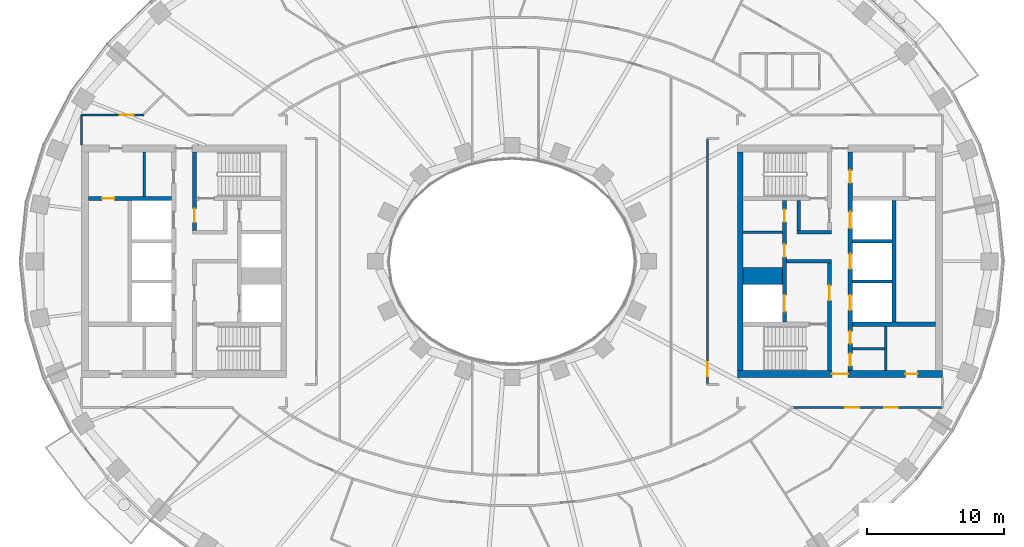
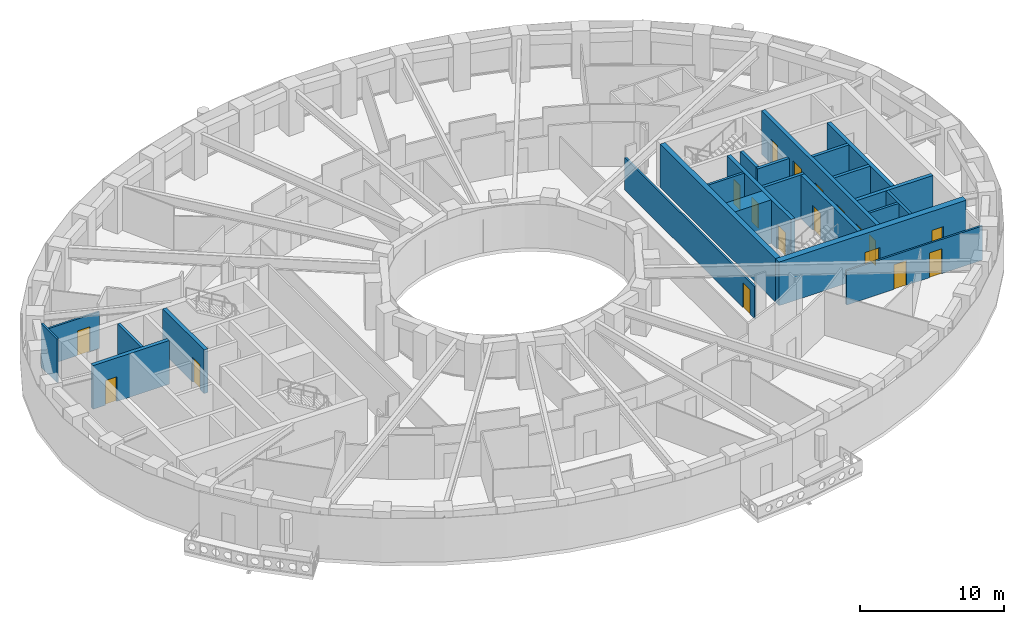
# One storey, part 5 of 17: 23 walls, 18 doors, 18 openings.
"""IFC4 building model written with IfcOpenShell, lengths in metres."""

from ifc_helpers import new_model, si_unit, direction, frame, frame_2d, origin, place, context, subcontext, project, spatial, rectangle, extrude, material, layer, layer_set, type_object, element, fill, save


model = new_model("IFC4")

# Units and contexts
model_context = context("Model", 3, precision=1e-05, world=origin(), true_north=direction((0.0, 1.0)))
body_context = subcontext(model_context, "Body", "Model", "MODEL_VIEW")
ifc_project = project(units=[si_unit("LENGTHUNIT", "METRE"), si_unit("AREAUNIT", "SQUARE_METRE"), si_unit("VOLUMEUNIT", "CUBIC_METRE"), si_unit("PLANEANGLEUNIT", "RADIAN"), si_unit("MASSUNIT", "GRAM", prefix="KILO")], contexts=[model_context])

# Site, building, storey
site_placement = place(None, origin())
site = spatial("IfcSite", under=ifc_project, at=site_placement, CompositionType="ELEMENT")
building_placement = place(site_placement, origin())
building = spatial("IfcBuilding", under=site, at=building_placement, Name="Noorbagh Ring Tower", CompositionType="ELEMENT")
storey_placement = place(building_placement, frame((0.0, 0.0, 120.0)))
storey = spatial("IfcBuildingStorey", under=building, at=storey_placement, Name="L27", CompositionType="ELEMENT", Elevation=120.0)

# Walls
ifc_material_1 = material(Name="Gypsum board on steel studs", Category="steel")
ifc_layer_1 = layer(ifc_material_1, 0.199951171875)
ifc_layer_set_1 = layer_set([ifc_layer_1], Name="Gypsum board on steel studs")
wall_type_1 = type_object("IfcWallType", Name="CORE-PARTITION-200", PredefinedType="PARTITIONING", material=ifc_layer_set_1)
wall_1_placement = place(storey_placement, frame((-26.89990234375, 4.75, 0.0), z_axis=(0.0, 0.0, 1.0), x_axis=(0.0, 1.0, 0.0)))
element("IfcWall", 1, at=wall_1_placement, inside=storey, type_object=wall_type_1, Name="Core partition W", PredefinedType="PARTITIONING", context=body_context, shape_type="SweptSolid", body=[
    extrude(rectangle(XDim=3.25, YDim=0.199951171875, at=frame_2d((1.625, 0.0))), origin(), (0.0, 0.0, 1.0), 3.699951171875),
])
wall_2_placement = place(storey_placement, frame((16.89990234375, 2.125, 0.0), z_axis=(0.0, 0.0, 1.0), x_axis=(1.0, 0.0, 0.0)))
element("IfcWall", 2, at=wall_2_placement, inside=storey, type_object=wall_type_1, Name="Core partition E", PredefinedType="PARTITIONING", context=body_context, shape_type="SweptSolid", body=[
    extrude(rectangle(XDim=2.900146484375, YDim=0.199951171875, at=frame_2d((1.4501953125, 0.0))), origin(), (0.0, 0.0, 1.0), 3.699951171875),
])
wall_3_placement = place(storey_placement, frame((27.35009765625, -8.0, 0.0), z_axis=(0.0, 0.0, 1.0), x_axis=(0.0, 1.0, 0.0)))
element("IfcWall", 3, at=wall_3_placement, inside=storey, type_object=wall_type_1, Name="Core partition E", PredefinedType="PARTITIONING", context=body_context, shape_type="SweptSolid", body=[
    extrude(rectangle(XDim=3.25, YDim=0.199951171875, at=frame_2d((1.625, 0.0))), origin(), (0.0, 0.0, 1.0), 3.699951171875),
])
wall_4_placement = place(storey_placement, frame((24.89990234375, -6.39990234375, 0.0), z_axis=(0.0, 0.0, 1.0), x_axis=(1.0, 0.0, 0.0)))
element("IfcWall", 4, at=wall_4_placement, inside=storey, type_object=wall_type_1, Name="Core partition E", PredefinedType="PARTITIONING", context=body_context, shape_type="SweptSolid", body=[
    extrude(rectangle(XDim=2.35009765625, YDim=0.199951171875, at=frame_2d((1.175048828125, 0.0))), origin(), (0.0, 0.0, 1.0), 3.699951171875),
])
ifc_material_2 = material(Name="Concrete C70/85", Category="concrete")
ifc_layer_2 = layer(ifc_material_2, 1.25)
ifc_layer_set_2 = layer_set([ifc_layer_2], Name="Concrete C70/85")
wall_type_2 = type_object("IfcWallType", Name="CORE-WALL-1250-C70-85-EI120", PredefinedType="SHEAR", material=ifc_layer_set_2)
wall_5_placement = place(storey_placement, frame((16.89990234375, -1.074951171875, 0.0), z_axis=(0.0, 0.0, 1.0), x_axis=(1.0, 0.0, 0.0)))
element("IfcWall", 5, at=wall_5_placement, inside=storey, type_object=wall_type_2, Name="Core wall E", PredefinedType="SHEAR", context=body_context, shape_type="SweptSolid", body=[
    extrude(rectangle(XDim=2.900146484375, YDim=1.25, at=frame_2d((1.4501953125, 0.0))), origin(), (0.0, 0.0, 1.0), 3.699951171875),
])
ifc_material_3 = material(Name="Concrete C70/85", Category="concrete")
ifc_layer_3 = layer(ifc_material_3, 0.25)
ifc_layer_set_3 = layer_set([ifc_layer_3], Name="Concrete C70/85")
wall_type_3 = type_object("IfcWallType", Name="CORE-WALL-250-C70-85-EI120", PredefinedType="SHEAR", material=ifc_layer_set_3)
for number, where, z_axis, x_axis, name in (
    (6, (24.89990234375, -1.47509765625, 0.0), (0.0, 0.0, 1.0), (1.0, 0.0, 0.0), "Core wall E"),
    (7, (24.89990234375, 1.47509765625, 0.0), (0.0, 0.0, 1.0), (1.0, 0.0, 0.0), "Core wall E"),
):
    element("IfcWall", number, at=place(storey_placement, frame(where, z_axis=z_axis, x_axis=x_axis)), inside=storey, type_object=wall_type_3, Name=name, PredefinedType="SHEAR", context=body_context, shape_type="SweptSolid", body=[
        extrude(rectangle(XDim=2.900146484375, YDim=0.25, at=frame_2d((1.4501953125, 0.0))), origin(), (0.0, 0.0, 1.0), 3.699951171875),
    ])
ifc_material_4 = material(Name="Concrete C70/85", Category="concrete")
ifc_layer_4 = layer(ifc_material_4, 0.25)
ifc_layer_set_4 = layer_set([ifc_layer_4], Name="Concrete C70/85")
wall_type_4 = type_object("IfcWallType", Name="CORE-WALL-250-C70-85-EI240", PredefinedType="SHEAR", material=ifc_layer_set_4)
wall_6_placement = place(storey_placement, frame((20.10009765625, 0.0, 0.0), z_axis=(0.0, 0.0, 1.0), x_axis=(1.0, 0.0, 0.0)))
element("IfcWall", 8, at=wall_6_placement, inside=storey, type_object=wall_type_4, Name="Core wall E", PredefinedType="SHEAR", context=body_context, shape_type="SweptSolid", body=[
    extrude(rectangle(XDim=3.27978515625, YDim=0.25, at=frame_2d((1.639892578125, 0.0))), origin(), (0.0, 0.0, 1.0), 3.699951171875),
])
wall_7_placement = place(storey_placement, frame((20.85009765625, 2.125, 0.0), z_axis=(0.0, 0.0, 1.0), x_axis=(1.0, 0.0, 0.0)))
element("IfcWall", 9, at=wall_7_placement, inside=storey, type_object=wall_type_4, Name="Core wall E", PredefinedType="SHEAR", context=body_context, shape_type="SweptSolid", body=[
    extrude(rectangle(XDim=2.52978515625, YDim=0.25, at=frame_2d((1.264892578125, 0.0))), origin(), (0.0, 0.0, 1.0), 3.699951171875),
])
wall_8_placement = place(storey_placement, frame((20.97509765625, 2.25, 0.0), z_axis=(0.0, 0.0, 1.0), x_axis=(0.0, 1.0, 0.0)))
element("IfcWall", 10, at=wall_8_placement, inside=storey, type_object=wall_type_4, Name="Core wall E", PredefinedType="SHEAR", context=body_context, shape_type="SweptSolid", body=[
    extrude(rectangle(XDim=2.199951171875, YDim=0.25, at=frame_2d((1.10009765625, 0.0))), origin(), (0.0, 0.0, 1.0), 3.699951171875),
])
ifc_material_5 = material(Name="Concrete C70/85", Category="concrete")
ifc_layer_5 = layer(ifc_material_5, 0.300048828125)
ifc_layer_set_5 = layer_set([ifc_layer_5], Name="Concrete C70/85")
wall_type_5 = type_object("IfcWallType", Name="CORE-WALL-300-C70-85-EI120", PredefinedType="SHEAR", material=ifc_layer_set_5)
wall_9_placement = place(storey_placement, frame((27.949951171875, -4.449951171875, 0.0), z_axis=(0.0, 0.0, 1.0), x_axis=(0.0, 1.0, 0.0)))
element("IfcWall", 11, at=wall_9_placement, inside=storey, type_object=wall_type_5, Name="Core wall E", PredefinedType="SHEAR", context=body_context, shape_type="SweptSolid", body=[
    extrude(rectangle(XDim=8.89990234375, YDim=0.300048828125, at=frame_2d((4.449951171875, 0.0))), origin(), (0.0, 0.0, 1.0), 3.699951171875),
])

# Wall, openings, doors
wall_10_placement = place(storey_placement, frame((19.949951171875, -4.449951171875, 0.0), z_axis=(0.0, 0.0, 1.0), x_axis=(0.0, 1.0, 0.0)))
wall_10 = element("IfcWall", 12, at=wall_10_placement, inside=storey, type_object=wall_type_5, Name="Core wall E", PredefinedType="SHEAR", context=body_context, shape_type="SweptSolid", body=[
    extrude(rectangle(XDim=8.89990234375, YDim=0.300048828125, at=frame_2d((4.449951171875, 0.0))), origin(), (0.0, 0.0, 1.0), 3.699951171875),
])
opening_1_placement = place(wall_10_placement, frame((0.77490234375, 0.0, 0.0)))
opening_1 = element("IfcOpeningElement", 13, at=opening_1_placement, cuts=wall_10, Name="Opening L27-CE01", PredefinedType="OPENING", context=body_context, shape_type="SweptSolid", body=[
    extrude(rectangle(XDim=1.199951171875, YDim=2.10009765625, at=frame_2d((0.60009765625, 1.050048828125))), frame((0.0, 0.16015625, 0.0), z_axis=(0.0, -1.0, 0.0), x_axis=(1.0, 0.0, 0.0)), (0.0, 0.0, 1.0), 0.320068359375),
])
opening_2_placement = place(wall_10_placement, frame((4.78759765625, 0.0, 0.0)))
opening_2 = element("IfcOpeningElement", 14, at=opening_2_placement, cuts=wall_10, Name="Opening L27-CE11", PredefinedType="OPENING", context=body_context, shape_type="SweptSolid", body=[
    extrude(rectangle(XDim=0.89990234375, YDim=2.10009765625, at=frame_2d((0.449951171875, 1.050048828125))), frame((0.0, 0.16015625, 0.0), z_axis=(0.0, -1.0, 0.0), x_axis=(1.0, 0.0, 0.0)), (0.0, 0.0, 1.0), 0.320068359375),
])
opening_3_placement = place(wall_10_placement, frame((7.33740234375, 0.0, 0.0)))
opening_3 = element("IfcOpeningElement", 15, at=opening_3_placement, cuts=wall_10, Name="Opening L27-CE12", PredefinedType="OPENING", context=body_context, shape_type="SweptSolid", body=[
    extrude(rectangle(XDim=0.89990234375, YDim=2.10009765625, at=frame_2d((0.449951171875, 1.050048828125))), frame((0.0, 0.16015625, 0.0), z_axis=(0.0, -1.0, 0.0), x_axis=(1.0, 0.0, 0.0)), (0.0, 0.0, 1.0), 0.320068359375),
])
ifc_material_6 = material(Name="Steel door leaf", Category="steel")
door_type_1 = type_object("IfcDoorType", Name="CORE-DOOR-DROOM", OperationType="SINGLE_SWING_LEFT", PredefinedType="DOOR", material=ifc_material_6)
door_1_placement = place(opening_2_placement, origin())
door_1 = element("IfcDoor", 16, at=door_1_placement, inside=storey, type_object=door_type_1, Name="Core room door L27-CE11", OperationType="SINGLE_SWING_RIGHT", OverallHeight=2.10009765625, OverallWidth=0.89990234375, PredefinedType="DOOR", context=body_context, shape_type="SweptSolid", body=[
    extrude(rectangle(XDim=0.89990234375, YDim=2.10009765625, at=frame_2d((0.449951171875, 1.050048828125))), frame((0.0, 0.02490234375, 0.0), z_axis=(0.0, -1.0, 0.0), x_axis=(1.0, 0.0, 0.0)), (0.0, 0.0, 1.0), 0.050048828125),
])
fill(opening_2, door_1)
door_2_placement = place(opening_3_placement, origin())
door_2 = element("IfcDoor", 17, at=door_2_placement, inside=storey, type_object=door_type_1, Name="Core room door L27-CE12", OperationType="SINGLE_SWING_RIGHT", OverallHeight=2.10009765625, OverallWidth=0.89990234375, PredefinedType="DOOR", context=body_context, shape_type="SweptSolid", body=[
    extrude(rectangle(XDim=0.89990234375, YDim=2.10009765625, at=frame_2d((0.449951171875, 1.050048828125))), frame((0.0, 0.02490234375, 0.0), z_axis=(0.0, -1.0, 0.0), x_axis=(1.0, 0.0, 0.0)), (0.0, 0.0, 1.0), 0.050048828125),
])
fill(opening_3, door_2)
ifc_material_7 = material(Name="Steel door leaf", Category="steel")
door_type_2 = type_object("IfcDoorType", Name="CORE-DOOR-LDW", OperationType="DOUBLE_DOOR_SLIDING", PredefinedType="DOOR", material=ifc_material_7)
door_3_placement = place(opening_1_placement, origin())
door_3 = element("IfcDoor", 18, at=door_3_placement, inside=storey, type_object=door_type_2, Name="Landing door FF2 L27-CE01", OperationType="DOUBLE_DOOR_SLIDING", OverallHeight=2.10009765625, OverallWidth=1.199951171875, PredefinedType="DOOR", context=body_context, shape_type="SweptSolid", body=[
    extrude(rectangle(XDim=1.199951171875, YDim=2.10009765625, at=frame_2d((0.60009765625, 1.050048828125))), frame((0.0, 0.02490234375, 0.0), z_axis=(0.0, -1.0, 0.0), x_axis=(1.0, 0.0, 0.0)), (0.0, 0.0, 1.0), 0.050048828125),
])
fill(opening_1, door_3)

wall_11_placement = place(storey_placement, frame((24.75, -8.0, 0.0), z_axis=(0.0, 0.0, 1.0), x_axis=(0.0, 1.0, 0.0)))
wall_11 = element("IfcWall", 19, at=wall_11_placement, inside=storey, type_object=wall_type_5, Name="Core wall E", PredefinedType="SHEAR", context=body_context, shape_type="SweptSolid", body=[
    extrude(rectangle(XDim=16.0, YDim=0.300048828125, at=frame_2d((8.0, 0.0))), origin(), (0.0, 0.0, 1.0), 3.699951171875),
])
opening_4_placement = place(wall_11_placement, frame((4.425048828125, 0.0, 0.0)))
opening_4 = element("IfcOpeningElement", 20, at=opening_4_placement, cuts=wall_11, Name="Opening L27-CE02", PredefinedType="OPENING", context=body_context, shape_type="SweptSolid", body=[
    extrude(rectangle(XDim=1.10009765625, YDim=2.10009765625, at=frame_2d((0.550048828125, 1.050048828125))), frame((0.0, 0.16015625, 0.0), z_axis=(0.0, -1.0, 0.0), x_axis=(1.0, 0.0, 0.0)), (0.0, 0.0, 1.0), 0.320068359375),
])
opening_5_placement = place(wall_11_placement, frame((7.449951171875, 0.0, 0.0)))
opening_5 = element("IfcOpeningElement", 21, at=opening_5_placement, cuts=wall_11, Name="Opening L27-CE03", PredefinedType="OPENING", context=body_context, shape_type="SweptSolid", body=[
    extrude(rectangle(XDim=1.10009765625, YDim=2.10009765625, at=frame_2d((0.550048828125, 1.050048828125))), frame((0.0, 0.16015625, 0.0), z_axis=(0.0, -1.0, 0.0), x_axis=(1.0, 0.0, 0.0)), (0.0, 0.0, 1.0), 0.320068359375),
])
opening_6_placement = place(wall_11_placement, frame((10.425048828125, 0.0, 0.0)))
opening_6 = element("IfcOpeningElement", 22, at=opening_6_placement, cuts=wall_11, Name="Opening L27-CE04", PredefinedType="OPENING", context=body_context, shape_type="SweptSolid", body=[
    extrude(rectangle(XDim=1.199951171875, YDim=2.10009765625, at=frame_2d((0.60009765625, 1.050048828125))), frame((0.0, 0.16015625, 0.0), z_axis=(0.0, -1.0, 0.0), x_axis=(1.0, 0.0, 0.0)), (0.0, 0.0, 1.0), 0.320068359375),
])
opening_7_placement = place(wall_11_placement, frame((13.75, 0.0, 0.0)))
opening_7 = element("IfcOpeningElement", 23, at=opening_7_placement, cuts=wall_11, Name="Opening L27-CE13", PredefinedType="OPENING", context=body_context, shape_type="SweptSolid", body=[
    extrude(rectangle(XDim=0.89990234375, YDim=2.10009765625, at=frame_2d((0.449951171875, 1.050048828125))), frame((0.0, 0.16015625, 0.0), z_axis=(0.0, -1.0, 0.0), x_axis=(1.0, 0.0, 0.0)), (0.0, 0.0, 1.0), 0.320068359375),
])
opening_8_placement = place(wall_11_placement, frame((1.97509765625, 0.0, 0.0)))
opening_8 = element("IfcOpeningElement", 24, at=opening_8_placement, cuts=wall_11, Name="Opening L27-CE15", PredefinedType="OPENING", context=body_context, shape_type="SweptSolid", body=[
    extrude(rectangle(XDim=0.89990234375, YDim=2.10009765625, at=frame_2d((0.449951171875, 1.050048828125))), frame((0.0, 0.16015625, 0.0), z_axis=(0.0, -1.0, 0.0), x_axis=(1.0, 0.0, 0.0)), (0.0, 0.0, 1.0), 0.320068359375),
])
opening_9_placement = place(wall_11_placement, frame((0.35009765625, 0.0, 0.0)))
opening_9 = element("IfcOpeningElement", 25, at=opening_9_placement, cuts=wall_11, Name="Opening L27-CE16", PredefinedType="OPENING", context=body_context, shape_type="SweptSolid", body=[
    extrude(rectangle(XDim=0.89990234375, YDim=2.10009765625, at=frame_2d((0.449951171875, 1.050048828125))), frame((0.0, 0.16015625, 0.0), z_axis=(0.0, -1.0, 0.0), x_axis=(1.0, 0.0, 0.0)), (0.0, 0.0, 1.0), 0.320068359375),
])
door_4_placement = place(opening_7_placement, origin())
door_4 = element("IfcDoor", 26, at=door_4_placement, inside=storey, type_object=door_type_1, Name="Core room door L27-CE13", OperationType="SINGLE_SWING_LEFT", OverallHeight=2.10009765625, OverallWidth=0.89990234375, PredefinedType="DOOR", context=body_context, shape_type="SweptSolid", body=[
    extrude(rectangle(XDim=0.89990234375, YDim=2.10009765625, at=frame_2d((0.449951171875, 1.050048828125))), frame((0.0, 0.02490234375, 0.0), z_axis=(0.0, -1.0, 0.0), x_axis=(1.0, 0.0, 0.0)), (0.0, 0.0, 1.0), 0.050048828125),
])
fill(opening_7, door_4)
door_5_placement = place(opening_8_placement, origin())
door_5 = element("IfcDoor", 27, at=door_5_placement, inside=storey, type_object=door_type_1, Name="Core room door L27-CE15", OperationType="SINGLE_SWING_LEFT", OverallHeight=2.10009765625, OverallWidth=0.89990234375, PredefinedType="DOOR", context=body_context, shape_type="SweptSolid", body=[
    extrude(rectangle(XDim=0.89990234375, YDim=2.10009765625, at=frame_2d((0.449951171875, 1.050048828125))), frame((0.0, 0.02490234375, 0.0), z_axis=(0.0, -1.0, 0.0), x_axis=(1.0, 0.0, 0.0)), (0.0, 0.0, 1.0), 0.050048828125),
])
fill(opening_8, door_5)
door_6_placement = place(opening_9_placement, origin())
door_6 = element("IfcDoor", 28, at=door_6_placement, inside=storey, type_object=door_type_1, Name="Core room door L27-CE16", OperationType="SINGLE_SWING_RIGHT", OverallHeight=2.10009765625, OverallWidth=0.89990234375, PredefinedType="DOOR", context=body_context, shape_type="SweptSolid", body=[
    extrude(rectangle(XDim=0.89990234375, YDim=2.10009765625, at=frame_2d((0.449951171875, 1.050048828125))), frame((0.0, 0.02490234375, 0.0), z_axis=(0.0, -1.0, 0.0), x_axis=(1.0, 0.0, 0.0)), (0.0, 0.0, 1.0), 0.050048828125),
])
fill(opening_9, door_6)
ifc_material_8 = material(Name="Steel door leaf", Category="steel")
door_type_3 = type_object("IfcDoorType", Name="CORE-DOOR-LD", OperationType="DOUBLE_DOOR_SLIDING", PredefinedType="DOOR", material=ifc_material_8)
door_7_placement = place(opening_4_placement, origin())
door_7 = element("IfcDoor", 29, at=door_7_placement, inside=storey, type_object=door_type_3, Name="Landing door LR3 L27-CE02", OperationType="DOUBLE_DOOR_SLIDING", OverallHeight=2.10009765625, OverallWidth=1.10009765625, PredefinedType="DOOR", context=body_context, shape_type="SweptSolid", body=[
    extrude(rectangle(XDim=1.10009765625, YDim=2.10009765625, at=frame_2d((0.550048828125, 1.050048828125))), frame((0.0, 0.02490234375, 0.0), z_axis=(0.0, -1.0, 0.0), x_axis=(1.0, 0.0, 0.0)), (0.0, 0.0, 1.0), 0.050048828125),
])
fill(opening_4, door_7)
door_8_placement = place(opening_5_placement, origin())
door_8 = element("IfcDoor", 30, at=door_8_placement, inside=storey, type_object=door_type_3, Name="Landing door LR4 L27-CE03", OperationType="DOUBLE_DOOR_SLIDING", OverallHeight=2.10009765625, OverallWidth=1.10009765625, PredefinedType="DOOR", context=body_context, shape_type="SweptSolid", body=[
    extrude(rectangle(XDim=1.10009765625, YDim=2.10009765625, at=frame_2d((0.550048828125, 1.050048828125))), frame((0.0, 0.02490234375, 0.0), z_axis=(0.0, -1.0, 0.0), x_axis=(1.0, 0.0, 0.0)), (0.0, 0.0, 1.0), 0.050048828125),
])
fill(opening_5, door_8)
door_9_placement = place(opening_6_placement, origin())
door_9 = element("IfcDoor", 31, at=door_9_placement, inside=storey, type_object=door_type_2, Name="Landing door SV2 L27-CE04", OperationType="DOUBLE_DOOR_SLIDING", OverallHeight=2.10009765625, OverallWidth=1.199951171875, PredefinedType="DOOR", context=body_context, shape_type="SweptSolid", body=[
    extrude(rectangle(XDim=1.199951171875, YDim=2.10009765625, at=frame_2d((0.60009765625, 1.050048828125))), frame((0.0, 0.02490234375, 0.0), z_axis=(0.0, -1.0, 0.0), x_axis=(1.0, 0.0, 0.0)), (0.0, 0.0, 1.0), 0.050048828125),
])
fill(opening_6, door_9)

# Wall, opening, door
ifc_material_9 = material(Name="Concrete C70/85", Category="concrete")
ifc_layer_6 = layer(ifc_material_9, 0.300048828125)
ifc_layer_set_6 = layer_set([ifc_layer_6], Name="Concrete C70/85")
wall_type_6 = type_object("IfcWallType", Name="CORE-WALL-300-C70-85-EI240", PredefinedType="SHEAR", material=ifc_layer_set_6)
wall_12_placement = place(storey_placement, frame((-24.89990234375, 4.60009765625, 0.0), z_axis=(0.0, 0.0, 1.0), x_axis=(-1.0, 0.0, 0.0)))
wall_12 = element("IfcWall", 32, at=wall_12_placement, inside=storey, type_object=wall_type_6, Name="Core wall W", PredefinedType="SHEAR", context=body_context, shape_type="SweptSolid", body=[
    extrude(rectangle(XDim=6.10009765625, YDim=0.300048828125, at=frame_2d((3.050048828125, 0.0))), origin(), (0.0, 0.0, 1.0), 3.699951171875),
])
opening_10_placement = place(wall_12_placement, frame((4.199951171875, 0.0, 0.0)))
opening_10 = element("IfcOpeningElement", 33, at=opening_10_placement, cuts=wall_12, Name="Opening L27-CW16", PredefinedType="OPENING", context=body_context, shape_type="SweptSolid", body=[
    extrude(rectangle(XDim=0.89990234375, YDim=2.10009765625, at=frame_2d((0.449951171875, 1.050048828125))), frame((0.0, 0.16015625, 0.0), z_axis=(0.0, -1.0, 0.0), x_axis=(1.0, 0.0, 0.0)), (0.0, 0.0, 1.0), 0.320068359375),
])
door_10_placement = place(opening_10_placement, origin())
door_10 = element("IfcDoor", 34, at=door_10_placement, inside=storey, type_object=door_type_1, Name="Core room door L27-CW16", OperationType="SINGLE_SWING_LEFT", OverallHeight=2.10009765625, OverallWidth=0.89990234375, PredefinedType="DOOR", context=body_context, shape_type="SweptSolid", body=[
    extrude(rectangle(XDim=0.89990234375, YDim=2.10009765625, at=frame_2d((0.449951171875, 1.050048828125))), frame((0.0, 0.02490234375, 0.0), z_axis=(0.0, -1.0, 0.0), x_axis=(1.0, 0.0, 0.0)), (0.0, 0.0, 1.0), 0.050048828125),
])
fill(opening_10, door_10)

wall_13_placement = place(storey_placement, frame((-23.22998046875, 2.25, 0.0), z_axis=(0.0, 0.0, 1.0), x_axis=(0.0, 1.0, 0.0)))
wall_13 = element("IfcWall", 35, at=wall_13_placement, inside=storey, type_object=wall_type_6, Name="Core wall W", PredefinedType="SHEAR", context=body_context, shape_type="SweptSolid", body=[
    extrude(rectangle(XDim=5.75, YDim=0.300048828125, at=frame_2d((2.875, 0.0))), origin(), (0.0, 0.0, 1.0), 3.699951171875),
])
opening_11_placement = place(wall_13_placement, frame((0.60009765625, 0.0, 0.0)))
opening_11 = element("IfcOpeningElement", 36, at=opening_11_placement, cuts=wall_13, Name="Opening L27-CW08", PredefinedType="OPENING", context=body_context, shape_type="SweptSolid", body=[
    extrude(rectangle(XDim=1.0, YDim=2.10009765625, at=frame_2d((0.5, 1.050048828125))), frame((0.0, 0.16015625, 0.0), z_axis=(0.0, -1.0, 0.0), x_axis=(1.0, 0.0, 0.0)), (0.0, 0.0, 1.0), 0.320068359375),
])
ifc_material_10 = material(Name="Steel door leaf", Category="steel")
door_type_4 = type_object("IfcDoorType", Name="CORE-DOOR-DVEST", OperationType="SINGLE_SWING_LEFT", PredefinedType="DOOR", material=ifc_material_10)
door_11_placement = place(opening_11_placement, origin())
door_11 = element("IfcDoor", 37, at=door_11_placement, inside=storey, type_object=door_type_4, Name="Stair vestibule door L27-CW08", OperationType="SINGLE_SWING_LEFT", OverallHeight=2.10009765625, OverallWidth=1.0, PredefinedType="DOOR", context=body_context, shape_type="SweptSolid", body=[
    extrude(rectangle(XDim=1.0, YDim=2.10009765625, at=frame_2d((0.5, 1.050048828125))), frame((0.0, 0.02490234375, 0.0), z_axis=(0.0, -1.0, 0.0), x_axis=(1.0, 0.0, 0.0)), (0.0, 0.0, 1.0), 0.050048828125),
])
fill(opening_11, door_11)

# Wall
wall_14_placement = place(storey_placement, frame((24.89990234375, -4.60009765625, 0.0), z_axis=(0.0, 0.0, 1.0), x_axis=(1.0, 0.0, 0.0)))
element("IfcWall", 38, at=wall_14_placement, inside=storey, type_object=wall_type_6, Name="Core wall E", PredefinedType="SHEAR", context=body_context, shape_type="SweptSolid", body=[
    extrude(rectangle(XDim=6.10009765625, YDim=0.300048828125, at=frame_2d((3.050048828125, 0.0))), origin(), (0.0, 0.0, 1.0), 3.699951171875),
])

# Wall, opening, door
wall_15_placement = place(storey_placement, frame((23.22998046875, -8.0, 0.0), z_axis=(0.0, 0.0, 1.0), x_axis=(0.0, 1.0, 0.0)))
wall_15 = element("IfcWall", 39, at=wall_15_placement, inside=storey, type_object=wall_type_6, Name="Core wall E", PredefinedType="SHEAR", context=body_context, shape_type="SweptSolid", body=[
    extrude(rectangle(XDim=7.875, YDim=0.300048828125, at=frame_2d((3.9375, 0.0))), origin(), (0.0, 0.0, 1.0), 3.699951171875),
])
opening_12_placement = place(wall_15_placement, frame((5.14990234375, 0.0, 0.0)))
opening_12 = element("IfcOpeningElement", 40, at=opening_12_placement, cuts=wall_15, Name="Opening L27-CE07", PredefinedType="OPENING", context=body_context, shape_type="SweptSolid", body=[
    extrude(rectangle(XDim=1.10009765625, YDim=2.10009765625, at=frame_2d((0.550048828125, 1.050048828125))), frame((0.0, 0.16015625, 0.0), z_axis=(0.0, -1.0, 0.0), x_axis=(1.0, 0.0, 0.0)), (0.0, 0.0, 1.0), 0.320068359375),
])
ifc_material_11 = material(Name="Steel door leaf", Category="steel")
door_type_5 = type_object("IfcDoorType", Name="CORE-DOOR-DFF", OperationType="SINGLE_SWING_LEFT", PredefinedType="DOOR", material=ifc_material_11)
door_12_placement = place(opening_12_placement, origin())
door_12 = element("IfcDoor", 41, at=door_12_placement, inside=storey, type_object=door_type_5, Name="Firefighting lobby door L27-CE07", OperationType="SINGLE_SWING_RIGHT", OverallHeight=2.10009765625, OverallWidth=1.10009765625, PredefinedType="DOOR", context=body_context, shape_type="SweptSolid", body=[
    extrude(rectangle(XDim=1.10009765625, YDim=2.10009765625, at=frame_2d((0.550048828125, 1.050048828125))), frame((0.0, 0.02490234375, 0.0), z_axis=(0.0, -1.0, 0.0), x_axis=(1.0, 0.0, 0.0)), (0.0, 0.0, 1.0), 0.050048828125),
])
fill(opening_12, door_12)

# Wall
ifc_material_12 = material(Name="Concrete C70/85", Category="concrete")
ifc_layer_7 = layer(ifc_material_12, 0.39990234375)
ifc_layer_set_7 = layer_set([ifc_layer_7], Name="Concrete C70/85")
wall_type_7 = type_object("IfcWallType", Name="CORE-WALL-400-C70-85-EI240", PredefinedType="SHEAR", material=ifc_layer_set_7)
wall_16_placement = place(storey_placement, frame((16.699951171875, -8.0, 0.0), z_axis=(0.0, 0.0, 1.0), x_axis=(0.0, 1.0, 0.0)))
element("IfcWall", 42, at=wall_16_placement, inside=storey, type_object=wall_type_7, Name="Core wall E", PredefinedType="SHEAR", context=body_context, shape_type="SweptSolid", body=[
    extrude(rectangle(XDim=16.0, YDim=0.39990234375, at=frame_2d((8.0, 0.0))), origin(), (0.0, 0.0, 1.0), 3.699951171875),
])

# Wall, openings, doors
ifc_material_13 = material(Name="Concrete C70/85", Category="concrete")
ifc_layer_8 = layer(ifc_material_13, 0.5)
ifc_layer_set_8 = layer_set([ifc_layer_8], Name="Concrete C70/85")
wall_type_8 = type_object("IfcWallType", Name="CORE-WALL-500-C70-85-EI240", PredefinedType="SHEAR", material=ifc_layer_set_8)
wall_17_placement = place(storey_placement, frame((16.5, -8.25, 0.0), z_axis=(0.0, 0.0, 1.0), x_axis=(1.0, 0.0, 0.0)))
wall_17 = element("IfcWall", 43, at=wall_17_placement, inside=storey, type_object=wall_type_8, Name="Core wall E", PredefinedType="SHEAR", context=body_context, shape_type="SweptSolid", body=[
    extrude(rectangle(XDim=15.0, YDim=0.5, at=frame_2d((7.5, 0.0))), origin(), (0.0, 0.0, 1.0), 3.699951171875),
])
opening_13_placement = place(wall_17_placement, frame((6.89990234375, 0.0, 0.0)))
opening_13 = element("IfcOpeningElement", 44, at=opening_13_placement, cuts=wall_17, Name="Opening L27-CE10", PredefinedType="OPENING", context=body_context, shape_type="SweptSolid", body=[
    extrude(rectangle(XDim=1.199951171875, YDim=2.10009765625, at=frame_2d((0.60009765625, 1.050048828125))), frame((0.0, 0.260009765625, 0.0), z_axis=(0.0, -1.0, 0.0), x_axis=(1.0, 0.0, 0.0)), (0.0, 0.0, 1.0), 0.52001953125),
])
opening_14_placement = place(wall_17_placement, frame((12.27490234375, 0.0, 0.0)))
opening_14 = element("IfcOpeningElement", 45, at=opening_14_placement, cuts=wall_17, Name="Opening L27-CE17", PredefinedType="OPENING", context=body_context, shape_type="SweptSolid", body=[
    extrude(rectangle(XDim=0.89990234375, YDim=2.10009765625, at=frame_2d((0.449951171875, 1.050048828125))), frame((0.0, 0.260009765625, 0.0), z_axis=(0.0, -1.0, 0.0), x_axis=(1.0, 0.0, 0.0)), (0.0, 0.0, 1.0), 0.52001953125),
])
door_13_placement = place(opening_14_placement, origin())
door_13 = element("IfcDoor", 46, at=door_13_placement, inside=storey, type_object=door_type_1, Name="Core room door L27-CE17", OperationType="SINGLE_SWING_RIGHT", OverallHeight=2.10009765625, OverallWidth=0.89990234375, PredefinedType="DOOR", context=body_context, shape_type="SweptSolid", body=[
    extrude(rectangle(XDim=0.89990234375, YDim=2.10009765625, at=frame_2d((0.449951171875, 1.050048828125))), frame((0.0, 0.02490234375, 0.0), z_axis=(0.0, -1.0, 0.0), x_axis=(1.0, 0.0, 0.0)), (0.0, 0.0, 1.0), 0.050048828125),
])
fill(opening_14, door_13)
ifc_material_14 = material(Name="Steel door leaf", Category="steel")
door_type_6 = type_object("IfcDoorType", Name="CORE-DOOR-PORT", OperationType="DOUBLE_DOOR_DOUBLE_SWING", PredefinedType="DOOR", material=ifc_material_14)
door_14_placement = place(opening_13_placement, origin())
door_14 = element("IfcDoor", 47, at=door_14_placement, inside=storey, type_object=door_type_6, Name="Core entrance door L27-CE10", OperationType="DOUBLE_DOOR_DOUBLE_SWING", OverallHeight=2.10009765625, OverallWidth=1.199951171875, PredefinedType="DOOR", context=body_context, shape_type="SweptSolid", body=[
    extrude(rectangle(XDim=1.199951171875, YDim=2.10009765625, at=frame_2d((0.60009765625, 1.050048828125))), frame((0.0, 0.02490234375, 0.0), z_axis=(0.0, -1.0, 0.0), x_axis=(1.0, 0.0, 0.0)), (0.0, 0.0, 1.0), 0.050048828125),
])
fill(opening_13, door_14)

# Wall
ifc_material_15 = material(Name="Gypsum board on steel studs", Category="steel")
ifc_layer_9 = layer(ifc_material_15, 0.14990234375)
ifc_layer_set_9 = layer_set([ifc_layer_9], Name="Gypsum board on steel studs")
wall_type_9 = type_object("IfcWallType", Name="CORRIDOR PARTITION 150 EI 30", PredefinedType="PARTITIONING", material=ifc_layer_set_9)
wall_18_placement = place(storey_placement, frame((-31.5, 8.5, 0.0), z_axis=(0.0, 0.0, 1.0), x_axis=(0.0, 1.0, 0.0)))
element("IfcWall", 48, at=wall_18_placement, inside=storey, type_object=wall_type_9, Name="L27/wall/P04", PredefinedType="PARTITIONING", context=body_context, shape_type="SweptSolid", body=[
    extrude(rectangle(XDim=2.199951171875, YDim=0.14990234375, at=frame_2d((1.10009765625, 0.0))), origin(), (0.0, 0.0, 1.0), 3.699951171875),
])

# Wall, opening, door
wall_19_placement = place(storey_placement, frame((-31.5, 10.699951171875, 0.0), z_axis=(0.0, 0.0, 1.0), x_axis=(1.0, 0.0, 0.0)))
wall_19 = element("IfcWall", 49, at=wall_19_placement, inside=storey, type_object=wall_type_9, Name="L27/wall/P05", PredefinedType="PARTITIONING", context=body_context, shape_type="SweptSolid", body=[
    extrude(rectangle(XDim=4.56298828125, YDim=0.14990234375, at=frame_2d((2.281494140625, 0.0))), origin(), (0.0, 0.0, 1.0), 3.10009765625),
])
opening_15_placement = place(wall_19_placement, frame((2.805908203125, 0.0, 0.0)))
opening_15 = element("IfcOpeningElement", 50, at=opening_15_placement, cuts=wall_19, Name="Opening D1", PredefinedType="OPENING", context=body_context, shape_type="SweptSolid", body=[
    extrude(rectangle(XDim=1.0, YDim=2.10009765625, at=frame_2d((0.5, 1.050048828125))), frame((0.0, 0.0849609375, 0.0), z_axis=(0.0, -1.0, 0.0), x_axis=(1.0, 0.0, 0.0)), (0.0, 0.0, 1.0), 0.169921875),
])
ifc_material_16 = material(Name="Timber, painted", Category="wood")
door_type_7 = type_object("IfcDoorType", Name="DOOR 1000 X 2100 FD30", OperationType="SINGLE_SWING_LEFT", PredefinedType="DOOR", material=ifc_material_16)
door_15_placement = place(opening_15_placement, origin())
door_15 = element("IfcDoor", 51, at=door_15_placement, inside=storey, type_object=door_type_7, Name="L27-D05", OperationType="SINGLE_SWING_LEFT", OverallHeight=2.10009765625, OverallWidth=1.0, PredefinedType="DOOR", context=body_context, shape_type="SweptSolid", body=[
    extrude(rectangle(XDim=1.0, YDim=2.10009765625, at=frame_2d((0.5, 1.050048828125))), frame((0.0, 0.02490234375, 0.0), z_axis=(0.0, -1.0, 0.0), x_axis=(1.0, 0.0, 0.0)), (0.0, 0.0, 1.0), 0.050048828125),
])
fill(opening_15, door_15)

wall_20_placement = place(storey_placement, frame((14.300048828125, -9.0, 0.0), z_axis=(0.0, 0.0, 1.0), x_axis=(0.0, 1.0, 0.0)))
wall_20 = element("IfcWall", 52, at=wall_20_placement, inside=storey, type_object=wall_type_9, Name="L27/wall/P84", PredefinedType="PARTITIONING", context=body_context, shape_type="SweptSolid", body=[
    extrude(rectangle(XDim=18.0, YDim=0.14990234375, at=frame_2d((9.0, 0.0))), origin(), (0.0, 0.0, 1.0), 2.75),
])
opening_16_placement = place(wall_20_placement, frame((0.60009765625, 0.0, 0.0)))
opening_16 = element("IfcOpeningElement", 53, at=opening_16_placement, cuts=wall_20, Name="Opening D1", PredefinedType="OPENING", context=body_context, shape_type="SweptSolid", body=[
    extrude(rectangle(XDim=1.0, YDim=2.10009765625, at=frame_2d((0.5, 1.050048828125))), frame((0.0, 0.0849609375, 0.0), z_axis=(0.0, -1.0, 0.0), x_axis=(1.0, 0.0, 0.0)), (0.0, 0.0, 1.0), 0.169921875),
])
door_16_placement = place(opening_16_placement, origin())
door_16 = element("IfcDoor", 54, at=door_16_placement, inside=storey, type_object=door_type_7, Name="L27-D24", OperationType="SINGLE_SWING_RIGHT", OverallHeight=2.10009765625, OverallWidth=1.0, PredefinedType="DOOR", context=body_context, shape_type="SweptSolid", body=[
    extrude(rectangle(XDim=1.0, YDim=2.10009765625, at=frame_2d((0.5, 1.050048828125))), frame((0.0, 0.02490234375, 0.0), z_axis=(0.0, -1.0, 0.0), x_axis=(1.0, 0.0, 0.0)), (0.0, 0.0, 1.0), 0.050048828125),
])
fill(opening_16, door_16)

# Wall, openings, doors
wall_21_placement = place(storey_placement, frame((20.60302734375, -10.699951171875, 0.0), z_axis=(0.0, 0.0, 1.0), x_axis=(1.0, 0.0, 0.0)))
wall_21 = element("IfcWall", 55, at=wall_21_placement, inside=storey, type_object=wall_type_9, Name="L27/wall/P107", PredefinedType="PARTITIONING", context=body_context, shape_type="SweptSolid", body=[
    extrude(rectangle(XDim=10.89697265625, YDim=0.14990234375, at=frame_2d((5.448486328125, 0.0))), origin(), (0.0, 0.0, 1.0), 2.89990234375),
])
opening_17_placement = place(wall_21_placement, frame((3.7919921875, 0.0, 0.0)))
opening_17 = element("IfcOpeningElement", 56, at=opening_17_placement, cuts=wall_21, Name="Opening D1", PredefinedType="OPENING", context=body_context, shape_type="SweptSolid", body=[
    extrude(rectangle(XDim=1.0, YDim=2.10009765625, at=frame_2d((0.5, 1.050048828125))), frame((0.0, 0.0849609375, 0.0), z_axis=(0.0, -1.0, 0.0), x_axis=(1.0, 0.0, 0.0)), (0.0, 0.0, 1.0), 0.169921875),
])
opening_18_placement = place(wall_21_placement, frame((6.6220703125, 0.0, 0.0)))
opening_18 = element("IfcOpeningElement", 57, at=opening_18_placement, cuts=wall_21, Name="Opening D1", PredefinedType="OPENING", context=body_context, shape_type="SweptSolid", body=[
    extrude(rectangle(XDim=1.0, YDim=2.10009765625, at=frame_2d((0.5, 1.050048828125))), frame((0.0, 0.0849609375, 0.0), z_axis=(0.0, -1.0, 0.0), x_axis=(1.0, 0.0, 0.0)), (0.0, 0.0, 1.0), 0.169921875),
])
door_17_placement = place(opening_17_placement, origin())
door_17 = element("IfcDoor", 58, at=door_17_placement, inside=storey, type_object=door_type_7, Name="L27-D16", OperationType="SINGLE_SWING_RIGHT", OverallHeight=2.10009765625, OverallWidth=1.0, PredefinedType="DOOR", context=body_context, shape_type="SweptSolid", body=[
    extrude(rectangle(XDim=1.0, YDim=2.10009765625, at=frame_2d((0.5, 1.050048828125))), frame((0.0, 0.02490234375, 0.0), z_axis=(0.0, -1.0, 0.0), x_axis=(1.0, 0.0, 0.0)), (0.0, 0.0, 1.0), 0.050048828125),
])
fill(opening_17, door_17)
door_18_placement = place(opening_18_placement, origin())
door_18 = element("IfcDoor", 59, at=door_18_placement, inside=storey, type_object=door_type_7, Name="L27-D17", OperationType="SINGLE_SWING_LEFT", OverallHeight=2.10009765625, OverallWidth=1.0, PredefinedType="DOOR", context=body_context, shape_type="SweptSolid", body=[
    extrude(rectangle(XDim=1.0, YDim=2.10009765625, at=frame_2d((0.5, 1.050048828125))), frame((0.0, 0.02490234375, 0.0), z_axis=(0.0, -1.0, 0.0), x_axis=(1.0, 0.0, 0.0)), (0.0, 0.0, 1.0), 0.050048828125),
])
fill(opening_18, door_18)

save(model, "model.ifc")
